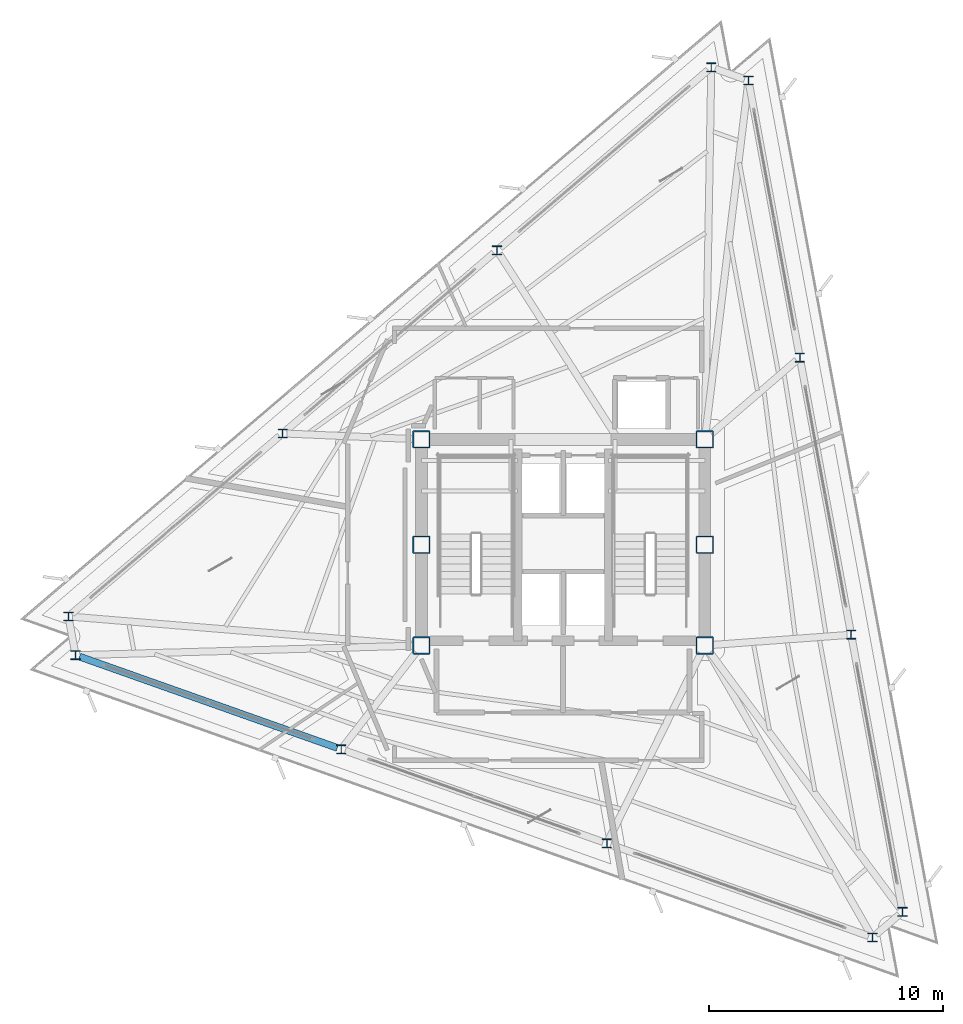
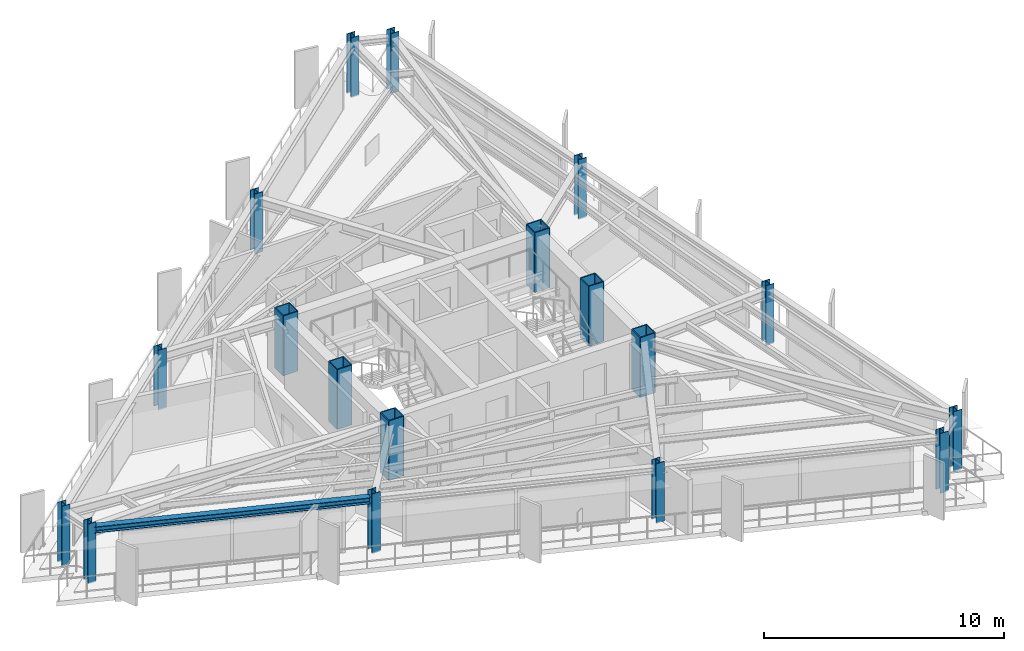
# One storey, part 1 of 14: 18 columns, 1 beam.
"""IFC4 building model written with IfcOpenShell, lengths in metres."""

from ifc_helpers import new_model, si_unit, direction, frame, origin, origin_2d, place, context, subcontext, project, spatial, hollow_rectangle, i_section, extrude, material, material_profile, profile_set, type_object, element, save


model = new_model("IFC4")

# Units and contexts
model_context = context("Model", 3, precision=1e-05, world=origin(), true_north=direction((0.0, 1.0)))
body_context = subcontext(model_context, "Body", "Model", "MODEL_VIEW")
ifc_project = project(units=[si_unit("LENGTHUNIT", "METRE"), si_unit("AREAUNIT", "SQUARE_METRE"), si_unit("VOLUMEUNIT", "CUBIC_METRE"), si_unit("PLANEANGLEUNIT", "RADIAN"), si_unit("MASSUNIT", "GRAM", prefix="KILO")], contexts=[model_context])

# Site, building, storey
site_placement = place(None, origin())
site = spatial("IfcSite", under=ifc_project, at=site_placement, CompositionType="ELEMENT")
building_placement = place(site_placement, origin())
building = spatial("IfcBuilding", under=site, at=building_placement, Name="Rocaltana Carrier Exchange", CompositionType="ELEMENT")
storey_placement = place(building_placement, frame((0.0, 0.0, 187.52001953125)))
storey = spatial("IfcBuildingStorey", under=building, at=storey_placement, Name="L59", CompositionType="ELEMENT", Elevation=187.52001953125)

# Columns
ifc_material_1 = material(Name="Steel S460", Category="steel")
ifc_material_profile_1 = material_profile(ifc_material_1, hollow_rectangle(XDim=0.75, YDim=0.75, WallThickness=0.050048828125, InnerFilletRadius=0.02001953125, OuterFilletRadius=0.0400390625, at=origin_2d()), Name="BOX750X750X50")
ifc_profile_set_1 = profile_set([ifc_material_profile_1], Name="Steel S460")
column_type_1 = type_object("IfcColumnType", Name="Core Mega-Column BOX750", PredefinedType="COLUMN", material=ifc_profile_set_1)
for number, where, z_axis, x_axis, name in (
    (1, (-6.050048828125, 4.5, 0.0), (0.0, 0.0, 1.0), (1.0, 0.0, 0.0), "L59 Core Mega-Column MC1"),
    (2, (6.050048828125, 4.5, 0.0), (0.0, 0.0, 1.0), (1.0, 0.0, 0.0), "L59 Core Mega-Column MC2"),
    (3, (-6.050048828125, 0.0, 0.0), (0.0, 0.0, 1.0), (1.0, 0.0, 0.0), "L59 Core Mega-Column MC3"),
    (4, (6.050048828125, 0.0, 0.0), (0.0, 0.0, 1.0), (1.0, 0.0, 0.0), "L59 Core Mega-Column MC4"),
    (5, (-6.050048828125, -4.300048828125, 0.0), (0.0, 0.0, 1.0), (1.0, 0.0, 0.0), "L59 Core Mega-Column MC5"),
    (6, (6.050048828125, -4.300048828125, 0.0), (0.0, 0.0, 1.0), (1.0, 0.0, 0.0), "L59 Core Mega-Column MC6"),
):
    element("IfcColumn", number, at=place(storey_placement, frame(where, z_axis=z_axis, x_axis=x_axis)), inside=storey, type_object=column_type_1, Name=name, PredefinedType="COLUMN", context=body_context, shape_type="SweptSolid", body=[
        extrude(hollow_rectangle(XDim=0.75, YDim=0.75, WallThickness=0.050048828125, InnerFilletRadius=0.02001953125, OuterFilletRadius=0.0400390625, at=origin_2d()), origin(), (0.0, 0.0, 1.0), 3.0400390625),
    ])
ifc_material_2 = material(Name="Steel S355", Category="steel")
ifc_material_profile_2 = material_profile(ifc_material_2, i_section(OverallWidth=0.39404296875, OverallDepth=0.375, WebThickness=0.017333984375, FlangeThickness=0.027587890625, FilletRadius=0.01611328125, at=origin_2d()), Name="W14X145")
ifc_profile_set_2 = profile_set([ifc_material_profile_2], Name="Steel S355")
column_type_2 = type_object("IfcColumnType", Name="Perimeter Column W14X145", PredefinedType="COLUMN", material=ifc_profile_set_2)
for number, where, z_axis, x_axis, name in (
    (7, (14.492431640625, -15.67138671875, 0.0), (0.0, 0.0, 1.0), (1.0, 0.0, 0.0), "L59 Perimeter Column TC01"),
    (8, (12.299560546875, -3.839599609375, 0.0), (0.0, 0.0, 1.0), (1.0, 0.0, 0.0), "L59 Perimeter Column TC02"),
    (9, (10.106689453125, 7.9921875, 0.0), (0.0, 0.0, 1.0), (1.0, 0.0, 0.0), "L59 Perimeter Column TC03"),
    (10, (7.913818359375, 19.82421875, 0.0), (0.0, 0.0, 1.0), (1.0, 0.0, 0.0), "L59 Perimeter Column TC04"),
    (11, (6.325439453125, 20.38671875, 0.0), (0.0, 0.0, 1.0), (1.0, 0.0, 0.0), "L59 Perimeter Column TC05"),
    (12, (-2.82470703125, 12.571533203125, 0.0), (0.0, 0.0, 1.0), (1.0, 0.0, 0.0), "L59 Perimeter Column TC06"),
    (13, (-11.974853515625, 4.756591796875, 0.0), (0.0, 0.0, 1.0), (1.0, 0.0, 0.0), "L59 Perimeter Column TC07"),
    (14, (-21.125, -3.05859375, 0.0), (0.0, 0.0, 1.0), (1.0, 0.0, 0.0), "L59 Perimeter Column TC08"),
    (15, (-20.818115234375, -4.715087890625, 0.0), (0.0, 0.0, 1.0), (1.0, 0.0, 0.0), "L59 Perimeter Column TC09"),
    (16, (-9.474853515625, -8.73193359375, 0.0), (0.0, 0.0, 1.0), (1.0, 0.0, 0.0), "L59 Perimeter Column TC10"),
    (17, (1.8681640625, -12.748779296875, 0.0), (0.0, 0.0, 1.0), (1.0, 0.0, 0.0), "L59 Perimeter Column TC11"),
    (18, (13.211181640625, -16.765625, 0.0), (0.0, 0.0, 1.0), (1.0, 0.0, 0.0), "L59 Perimeter Column TC12"),
):
    element("IfcColumn", number, at=place(storey_placement, frame(where, z_axis=z_axis, x_axis=x_axis)), inside=storey, type_object=column_type_2, Name=name, PredefinedType="COLUMN", context=body_context, shape_type="SweptSolid", body=[
        extrude(i_section(OverallWidth=0.39404296875, OverallDepth=0.375, WebThickness=0.017333984375, FlangeThickness=0.027587890625, FilletRadius=0.01611328125, at=origin_2d()), origin(), (0.0, 0.0, 1.0), 3.0400390625),
    ])

# Beam
ifc_material_3 = material(Name="Steel S355", Category="steel")
ifc_material_profile_3 = material_profile(ifc_material_3, i_section(OverallWidth=0.300048828125, OverallDepth=0.320068359375, WebThickness=0.011474609375, FlangeThickness=0.0205078125, FilletRadius=0.027099609375, at=origin_2d()), Name="HEB320")
ifc_profile_set_3 = profile_set([ifc_material_profile_3], Name="Steel S355")
beam_type = type_object("IfcBeamType", Name="Spandrel Edge Beam HEB320", PredefinedType="SPANDREL", material=ifc_profile_set_3)
beam_placement = place(storey_placement, frame((-20.64892578125, -4.775146484375, 2.637939453125), z_axis=(0.94264312809, -0.333802236458, 0.0), x_axis=(0.333802236458, 0.94264312809, 0.0)))
element("IfcBeam", 19, at=beam_placement, inside=storey, type_object=beam_type, Name="SP-L59-09", PredefinedType="SPANDREL", context=body_context, shape_type="SweptSolid", body=[
    extrude(i_section(OverallWidth=0.300048828125, OverallDepth=0.320068359375, WebThickness=0.011474609375, FlangeThickness=0.0205078125, FilletRadius=0.027099609375, at=origin_2d()), origin(), (0.0, 0.0, 1.0), 11.674560546875),
])

save(model, "model.ifc")
